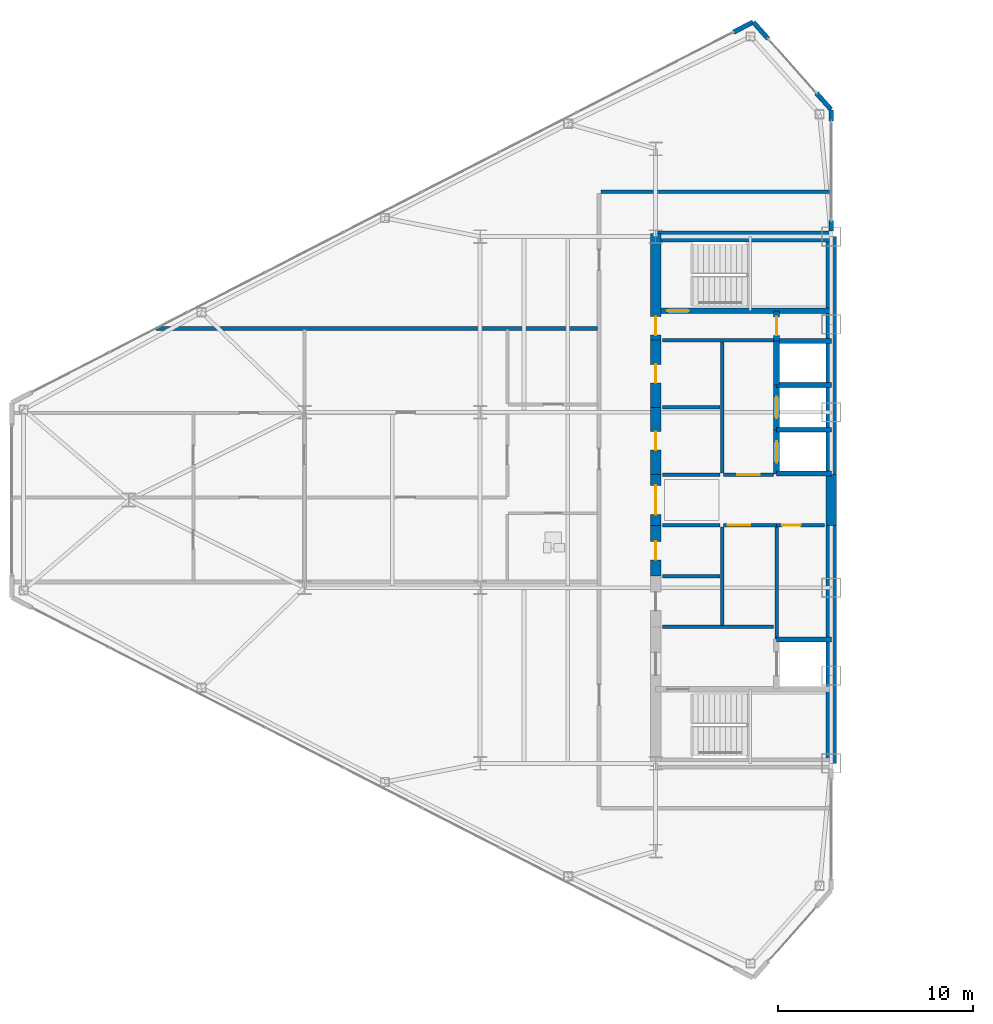
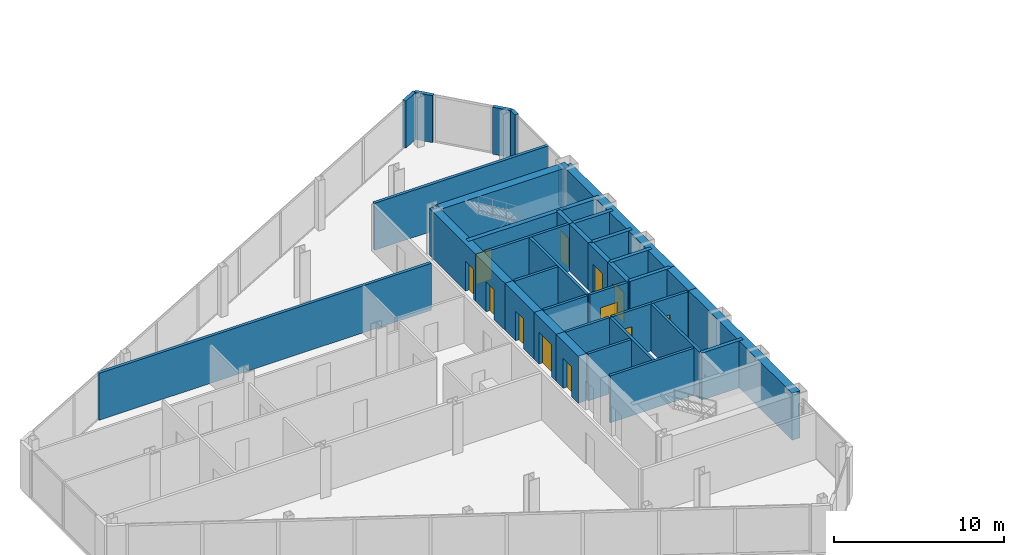
# One storey, part 16 of 22: 38 walls, 12 doors, 12 openings.
"""IFC4 building model written with IfcOpenShell, lengths in metres."""

from ifc_helpers import new_model, si_unit, direction, frame, frame_2d, origin, place, context, subcontext, project, spatial, rectangle, extrude, source, transform, mapped, material, layer, layer_set, type_object, type_shapes, element, fill, save


model = new_model("IFC4")

# Units and contexts
model_context = context("Model", 3, precision=1e-05, world=origin(), true_north=direction((0.0, 1.0)))
body_context = subcontext(model_context, "Body", "Model", "MODEL_VIEW")
ifc_project = project(units=[si_unit("LENGTHUNIT", "METRE"), si_unit("AREAUNIT", "SQUARE_METRE"), si_unit("VOLUMEUNIT", "CUBIC_METRE"), si_unit("PLANEANGLEUNIT", "RADIAN"), si_unit("MASSUNIT", "GRAM", prefix="KILO")], contexts=[model_context])

# Site, building, storey
site_placement = place(None, origin())
site = spatial("IfcSite", under=ifc_project, at=site_placement, CompositionType="ELEMENT")
building_placement = place(site_placement, origin())
building = spatial("IfcBuilding", under=site, at=building_placement, Name="Seokmaru Belvedere", CompositionType="ELEMENT")
storey_placement = place(building_placement, frame((0.0, 0.0, 151.199951171875)))
storey = spatial("IfcBuildingStorey", under=building, at=storey_placement, Name="L40", CompositionType="ELEMENT", Elevation=151.199951171875)

# Walls
ifc_material_1 = material(Name="Fire-Rated Gypsum Shaftwall")
ifc_layer_1 = layer(ifc_material_1, 0.179931640625)
ifc_layer_set_1 = layer_set([ifc_layer_1], Name="Fire-Rated Gypsum Shaftwall")
wall_type_1 = type_object("IfcWallType", Name="Core Service Fire Partition 180", PredefinedType="PARTITIONING", material=ifc_layer_set_1)
for number, where, z_axis, x_axis, name in (
    (1, (-36.14990234375, -6.5, 0.0), (0.0, 0.0, 1.0), (1.0, 0.0, 0.0), "L40 West Firefighting Lobby Partition"),
    (2, (-36.14990234375, 8.199951171875, 0.0), (0.0, 0.0, 1.0), (1.0, 0.0, 0.0), "L40 West Smokeproof Vestibule Partition"),
):
    element("IfcWall", number, at=place(storey_placement, frame(where, z_axis=z_axis, x_axis=x_axis)), inside=storey, type_object=wall_type_1, Name=name, PredefinedType="PARTITIONING", context=body_context, shape_type="SweptSolid", body=[
        extrude(rectangle(XDim=5.699951171875, YDim=0.179931640625, at=frame_2d((2.85009765625, 0.0))), origin(), (0.0, 0.0, 1.0), 3.380126953125),
    ])
wall_1_placement = place(storey_placement, frame((-33.10009765625, -6.419921875, 0.0), z_axis=(0.0, 0.0, 1.0), x_axis=(0.0, 1.0, 0.0)))
element("IfcWall", 3, at=wall_1_placement, inside=storey, type_object=wall_type_1, Name="L40 West South Core Service Back Wall", PredefinedType="PARTITIONING", context=body_context, shape_type="SweptSolid", body=[
    extrude(rectangle(XDim=5.0400390625, YDim=0.179931640625, at=frame_2d((2.52001953125, 0.0))), origin(), (0.0, 0.0, 1.0), 3.380126953125),
])
wall_2_placement = place(storey_placement, frame((-33.10009765625, 1.3798828125, 0.0), z_axis=(0.0, 0.0, 1.0), x_axis=(0.0, 1.0, 0.0)))
element("IfcWall", 4, at=wall_2_placement, inside=storey, type_object=wall_type_1, Name="L40 West North Core Service Back Wall", PredefinedType="PARTITIONING", context=body_context, shape_type="SweptSolid", body=[
    extrude(rectangle(XDim=6.740234375, YDim=0.179931640625, at=frame_2d((3.3701171875, 0.0))), origin(), (0.0, 0.0, 1.0), 3.380126953125),
])

# Wall, opening, door
wall_3_placement = place(storey_placement, frame((-30.300048828125, -1.300048828125, 0.0), z_axis=(0.0, 0.0, 1.0), x_axis=(1.0, 0.0, 0.0)))
wall_3 = element("IfcWall", 5, at=wall_3_placement, inside=storey, type_object=wall_type_1, Name="L40 West South Parcel Vault Foyer Wall", PredefinedType="PARTITIONING", context=body_context, shape_type="SweptSolid", body=[
    extrude(rectangle(XDim=2.449951171875, YDim=0.179931640625, at=frame_2d((1.22509765625, 0.0))), origin(), (0.0, 0.0, 1.0), 3.380126953125),
])
opening_1_placement = place(wall_3_placement, frame((0.27490234375, 0.0, 0.0)))
opening_1 = element("IfcOpeningElement", 6, at=opening_1_placement, cuts=wall_3, Name="Opening D04", PredefinedType="OPENING", context=body_context, shape_type="SweptSolid", body=[
    extrude(rectangle(XDim=0.949951171875, YDim=2.14990234375, at=frame_2d((0.47509765625, 1.074951171875))), frame((0.0, 0.10009765625, 0.0), z_axis=(0.0, -1.0, 0.0), x_axis=(1.0, 0.0, 0.0)), (0.0, 0.0, 1.0), 0.199951171875),
])
ifc_material_2 = material(Name="Fire-Rated Steel Leaf", Category="steel")
door_type_1 = type_object("IfcDoorType", Name="Core Service Room Fire Door 950x2150", OperationType="NOTDEFINED", PredefinedType="DOOR", material=ifc_material_2)
shared_shape_1 = source(origin(), body_context, "Body", "SweptSolid", [
    extrude(rectangle(XDim=0.949951171875, YDim=2.14990234375, at=frame_2d((0.47509765625, 1.074951171875))), frame((0.0, 0.02490234375, 0.0), z_axis=(0.0, -1.0, 0.0), x_axis=(1.0, 0.0, 0.0)), (0.0, 0.0, 1.0), 0.050048828125),
])
type_shapes(door_type_1, [shared_shape_1])
door_1_placement = place(opening_1_placement, origin())
door_1 = element("IfcDoor", 7, at=door_1_placement, inside=storey, type_object=door_type_1, Name="L40 West South Parcel Vault Door", OperationType="SINGLE_SWING_LEFT", OverallHeight=2.14990234375, OverallWidth=0.949951171875, PredefinedType="DOOR", context=body_context, shape_type="MappedRepresentation", body=[
    mapped(shared_shape_1, transform((0.0, 0.0, 0.0), scale=1.0)),
])
fill(opening_1, door_1)

wall_4_placement = place(storey_placement, frame((-33.02001953125, -1.300048828125, 0.0), z_axis=(0.0, 0.0, 1.0), x_axis=(1.0, 0.0, 0.0)))
wall_4 = element("IfcWall", 8, at=wall_4_placement, inside=storey, type_object=wall_type_1, Name="L40 West South Wine Cellar Foyer Wall", PredefinedType="PARTITIONING", context=body_context, shape_type="SweptSolid", body=[
    extrude(rectangle(XDim=2.719970703125, YDim=0.179931640625, at=frame_2d((1.35986328125, 0.0))), origin(), (0.0, 0.0, 1.0), 3.380126953125),
])
opening_2_placement = place(wall_4_placement, frame((0.2099609375, 0.0, 0.0)))
opening_2 = element("IfcOpeningElement", 9, at=opening_2_placement, cuts=wall_4, Name="Opening D02", PredefinedType="OPENING", context=body_context, shape_type="SweptSolid", body=[
    extrude(rectangle(XDim=1.14990234375, YDim=2.199951171875, at=frame_2d((0.574951171875, 1.10009765625))), frame((0.0, 0.10009765625, 0.0), z_axis=(0.0, -1.0, 0.0), x_axis=(1.0, 0.0, 0.0)), (0.0, 0.0, 1.0), 0.199951171875),
])
door_type_2 = type_object("IfcDoorType", Name="Lobby and Vestibule Fire Door 1150x2200", OperationType="NOTDEFINED", PredefinedType="DOOR", material=ifc_material_2)
shared_shape_2 = source(origin(), body_context, "Body", "SweptSolid", [
    extrude(rectangle(XDim=1.14990234375, YDim=2.199951171875, at=frame_2d((0.574951171875, 1.10009765625))), frame((0.0, 0.02490234375, 0.0), z_axis=(0.0, -1.0, 0.0), x_axis=(1.0, 0.0, 0.0)), (0.0, 0.0, 1.0), 0.050048828125),
])
type_shapes(door_type_2, [shared_shape_2])
door_2_placement = place(opening_2_placement, origin())
door_2 = element("IfcDoor", 10, at=door_2_placement, inside=storey, type_object=door_type_2, Name="L40 West South Core Foyer Door", OperationType="SINGLE_SWING_LEFT", OverallHeight=2.199951171875, OverallWidth=1.14990234375, PredefinedType="DOOR", context=body_context, shape_type="MappedRepresentation", body=[
    mapped(shared_shape_2, transform((0.0, 0.0, 0.0), scale=1.0)),
])
fill(opening_2, door_2)

# Wall
wall_5_placement = place(storey_placement, frame((-30.300048828125, -7.1201171875, 0.0), z_axis=(0.0, 0.0, 1.0), x_axis=(0.0, 1.0, 0.0)))
element("IfcWall", 11, at=wall_5_placement, inside=storey, type_object=wall_type_1, Name="L40 West Freed Shaft Vault Partition", PredefinedType="PARTITIONING", context=body_context, shape_type="SweptSolid", body=[
    extrude(rectangle(XDim=5.740234375, YDim=0.179931640625, at=frame_2d((2.8701171875, 0.0))), origin(), (0.0, 0.0, 1.0), 3.380126953125),
])

# Wall, opening, door
wall_6_placement = place(storey_placement, frame((-33.02001953125, 1.300048828125, 0.0), z_axis=(0.0, 0.0, 1.0), x_axis=(1.0, 0.0, 0.0)))
wall_6 = element("IfcWall", 12, at=wall_6_placement, inside=storey, type_object=wall_type_1, Name="L40 West North Lift Lobby Foyer Wall", PredefinedType="PARTITIONING", context=body_context, shape_type="SweptSolid", body=[
    extrude(rectangle(XDim=2.570068359375, YDim=0.179931640625, at=frame_2d((1.28515625, 0.0))), origin(), (0.0, 0.0, 1.0), 3.380126953125),
])
opening_3_placement = place(wall_6_placement, frame((0.7099609375, 0.0, 0.0)))
opening_3 = element("IfcOpeningElement", 13, at=opening_3_placement, cuts=wall_6, Name="Opening D02", PredefinedType="OPENING", context=body_context, shape_type="SweptSolid", body=[
    extrude(rectangle(XDim=1.14990234375, YDim=2.199951171875, at=frame_2d((0.574951171875, 1.10009765625))), frame((0.0, 0.10009765625, 0.0), z_axis=(0.0, -1.0, 0.0), x_axis=(1.0, 0.0, 0.0)), (0.0, 0.0, 1.0), 0.199951171875),
])
door_3_placement = place(opening_3_placement, origin())
door_3 = element("IfcDoor", 14, at=door_3_placement, inside=storey, type_object=door_type_2, Name="L40 West North Lift Lobby Door", OperationType="SINGLE_SWING_RIGHT", OverallHeight=2.199951171875, OverallWidth=1.14990234375, PredefinedType="DOOR", context=body_context, shape_type="MappedRepresentation", body=[
    mapped(shared_shape_2, transform((0.0, 0.0, 0.0), scale=1.0)),
])
fill(opening_3, door_3)

# Walls
for number, where, z_axis, x_axis, name in (
    (15, (-36.14990234375, -1.300048828125, 0.0), (0.0, 0.0, 1.0), (1.0, 0.0, 0.0), "L40 West Foyer Side Wall S"),
    (16, (-36.14990234375, 1.300048828125, 0.0), (0.0, 0.0, 1.0), (1.0, 0.0, 0.0), "L40 West Foyer Side Wall N"),
    (17, (-36.14990234375, -3.89990234375, 0.0), (0.0, 0.0, 1.0), (1.0, 0.0, 0.0), "L40 West Core Service Partition 1"),
    (18, (-36.14990234375, 4.75, 0.0), (0.0, 0.0, 1.0), (1.0, 0.0, 0.0), "L40 West Core Service Partition 2"),
):
    element("IfcWall", number, at=place(storey_placement, frame(where, z_axis=z_axis, x_axis=x_axis)), inside=storey, type_object=wall_type_1, Name=name, PredefinedType="PARTITIONING", context=body_context, shape_type="SweptSolid", body=[
        extrude(rectangle(XDim=2.949951171875, YDim=0.179931640625, at=frame_2d((1.47509765625, 0.0))), origin(), (0.0, 0.0, 1.0), 3.380126953125),
    ])
ifc_material_3 = material(Name="Concrete C50 (50 MPa)", Category="concrete")
ifc_layer_2 = layer(ifc_material_3, 0.25)
ifc_layer_set_2 = layer_set([ifc_layer_2], Name="Concrete C50 (50 MPa)")
wall_type_2 = type_object("IfcWallType", Name="Hoistway Transverse Concrete Divider Wall 250", PredefinedType="SHEAR", material=ifc_layer_set_2)
for number, where, z_axis, x_axis, name in (
    (19, (-30.300048828125, -7.14990234375, 0.0), (0.0, 0.0, 1.0), (1.0, 0.0, 0.0), "L40 West Hoistway Divider Core Wall 1"),
    (20, (-30.300048828125, 1.35009765625, 0.0), (0.0, 0.0, 1.0), (1.0, 0.0, 0.0), "L40 West Hoistway Divider Core Wall 2"),
    (21, (-30.300048828125, 3.60009765625, 0.0), (0.0, 0.0, 1.0), (1.0, 0.0, 0.0), "L40 West Hoistway Divider Core Wall 3"),
    (22, (-30.300048828125, 5.89990234375, 0.0), (0.0, 0.0, 1.0), (1.0, 0.0, 0.0), "L40 West Hoistway Divider Core Wall 4"),
    (23, (-30.300048828125, 8.14990234375, 0.0), (0.0, 0.0, 1.0), (1.0, 0.0, 0.0), "L40 West Hoistway Divider Core Wall 5"),
):
    element("IfcWall", number, at=place(storey_placement, frame(where, z_axis=z_axis, x_axis=x_axis)), inside=storey, type_object=wall_type_2, Name=name, PredefinedType="SHEAR", context=body_context, shape_type="SweptSolid", body=[
        extrude(rectangle(XDim=2.800048828125, YDim=0.25, at=frame_2d((1.39990234375, 0.0))), origin(), (0.0, 0.0, 1.0), 3.380126953125),
    ])
ifc_layer_3 = layer(ifc_material_1, 0.199951171875)
ifc_layer_set_3 = layer_set([ifc_layer_3], Name="Fire-Rated Gypsum Shaftwall")
wall_type_3 = type_object("IfcWallType", Name="Inter-Tenancy Fire Compartment Partition 200", PredefinedType="PARTITIONING", material=ifc_layer_set_3)
wall_7_placement = place(storey_placement, frame((-62.10595703125, 8.800048828125, 0.0), z_axis=(0.0, 0.0, 1.0), x_axis=(1.0, 0.0, 0.0)))
element("IfcWall", 24, at=wall_7_placement, inside=storey, type_object=wall_type_3, Name="L40 Interior Partition 015", PredefinedType="PARTITIONING", context=body_context, shape_type="SweptSolid", body=[
    extrude(rectangle(XDim=22.6259765625, YDim=0.199951171875, at=frame_2d((11.31298828125, 0.0))), origin(), (0.0, 0.0, 1.0), 3.380126953125),
])
wall_8_placement = place(storey_placement, frame((-39.31494140625, 15.800048828125, 0.0), z_axis=(0.0, 0.0, 1.0), x_axis=(1.0, 0.0, 0.0)))
element("IfcWall", 25, at=wall_8_placement, inside=storey, type_object=wall_type_3, Name="L40 Interior Partition 020", PredefinedType="PARTITIONING", context=body_context, shape_type="SweptSolid", body=[
    extrude(rectangle(XDim=11.81494140625, YDim=0.199951171875, at=frame_2d((5.907470703125, 0.0))), origin(), (0.0, 0.0, 1.0), 3.380126953125),
])

# Wall, opening, door
ifc_layer_4 = layer(ifc_material_3, 0.300048828125)
ifc_layer_set_4 = layer_set([ifc_layer_4], Name="Concrete C50 (50 MPa)")
wall_type_4 = type_object("IfcWallType", Name="Internal Core Stair and Hoistway Wall 300", PredefinedType="SHEAR", material=ifc_layer_set_4)
wall_9_placement = place(storey_placement, frame((-36.5, 9.699951171875, 0.0), z_axis=(0.0, 0.0, 1.0), x_axis=(1.0, 0.0, 0.0)))
wall_9 = element("IfcWall", 26, at=wall_9_placement, inside=storey, type_object=wall_type_4, Name="L40 West Stair ST-2 Enclosure Wall", PredefinedType="SHEAR", context=body_context, shape_type="SweptSolid", body=[
    extrude(rectangle(XDim=9.0, YDim=0.300048828125, at=frame_2d((4.5, 0.0))), origin(), (0.0, 0.0, 1.0), 3.380126953125),
])
opening_4_placement = place(wall_9_placement, frame((0.60009765625, 0.0, 0.0)))
opening_4 = element("IfcOpeningElement", 27, at=opening_4_placement, cuts=wall_9, Name="Opening D01", PredefinedType="OPENING", context=body_context, shape_type="SweptSolid", body=[
    extrude(rectangle(XDim=1.10009765625, YDim=2.199951171875, at=frame_2d((0.550048828125, 1.10009765625))), frame((0.0, 0.16015625, 0.0), z_axis=(0.0, -1.0, 0.0), x_axis=(1.0, 0.0, 0.0)), (0.0, 0.0, 1.0), 0.320068359375),
])
door_type_3 = type_object("IfcDoorType", Name="Special Escape Stair Smokeproof Fire Door 1100x2200", OperationType="NOTDEFINED", PredefinedType="DOOR", material=ifc_material_2)
shared_shape_3 = source(origin(), body_context, "Body", "SweptSolid", [
    extrude(rectangle(XDim=1.10009765625, YDim=2.199951171875, at=frame_2d((0.550048828125, 1.10009765625))), frame((0.0, 0.02490234375, 0.0), z_axis=(0.0, -1.0, 0.0), x_axis=(1.0, 0.0, 0.0)), (0.0, 0.0, 1.0), 0.050048828125),
])
type_shapes(door_type_3, [shared_shape_3])
door_4_placement = place(opening_4_placement, origin())
door_4 = element("IfcDoor", 28, at=door_4_placement, inside=storey, type_object=door_type_3, Name="L40 West Special Escape Stair ST-2 Door", OperationType="SINGLE_SWING_RIGHT", OverallHeight=2.199951171875, OverallWidth=1.10009765625, PredefinedType="DOOR", context=body_context, shape_type="MappedRepresentation", body=[
    mapped(shared_shape_3, transform((0.0, 0.0, 0.0), scale=1.0)),
])
fill(opening_4, door_4)

wall_10_placement = place(storey_placement, frame((-30.300048828125, 1.320068359375, 0.0), z_axis=(0.0, 0.0, 1.0), x_axis=(0.0, 1.0, 0.0)))
wall_10 = element("IfcWall", 29, at=wall_10_placement, inside=storey, type_object=wall_type_4, Name="L40 West North Hoistway Wall PH1", PredefinedType="SHEAR", context=body_context, shape_type="SweptSolid", body=[
    extrude(rectangle(XDim=2.280029296875, YDim=0.300048828125, at=frame_2d((1.14013671875, 0.0))), origin(), (0.0, 0.0, 1.0), 3.380126953125),
])
opening_5_placement = place(wall_10_placement, frame((0.590087890625, 0.0, 0.0)))
opening_5 = element("IfcOpeningElement", 30, at=opening_5_placement, cuts=wall_10, Name="Opening LD1", PredefinedType="OPENING", context=body_context, shape_type="SweptSolid", body=[
    extrude(rectangle(XDim=1.10009765625, YDim=2.199951171875, at=frame_2d((0.550048828125, 1.10009765625))), frame((0.0, 0.16015625, 0.0), z_axis=(0.0, -1.0, 0.0), x_axis=(1.0, 0.0, 0.0)), (0.0, 0.0, 1.0), 0.320068359375),
])
ifc_material_4 = material(Name="Stainless Steel 316", Category="steel")
door_type_4 = type_object("IfcDoorType", Name="Passenger Lift Sliding Landing Door 1100x2200", OperationType="DOUBLE_DOOR_SLIDING", PredefinedType="DOOR", material=ifc_material_4)
shared_shape_4 = source(origin(), body_context, "Body", "SweptSolid", [
    extrude(rectangle(XDim=1.10009765625, YDim=2.199951171875, at=frame_2d((0.550048828125, 1.10009765625))), frame((0.0, 0.02490234375, 0.0), z_axis=(0.0, -1.0, 0.0), x_axis=(1.0, 0.0, 0.0)), (0.0, 0.0, 1.0), 0.050048828125),
])
type_shapes(door_type_4, [shared_shape_4])
door_5_placement = place(opening_5_placement, origin())
door_5 = element("IfcDoor", 31, at=door_5_placement, inside=storey, type_object=door_type_4, Name="L40 West High-Rise Lift PH-1 Landing Door", OperationType="DOUBLE_DOOR_SLIDING", OverallHeight=2.199951171875, OverallWidth=1.10009765625, PredefinedType="DOOR", context=body_context, shape_type="MappedRepresentation", body=[
    mapped(shared_shape_4, transform((0.0, 0.0, 0.0), scale=1.0)),
])
fill(opening_5, door_5)

wall_11_placement = place(storey_placement, frame((-30.300048828125, 3.60009765625, 0.0), z_axis=(0.0, 0.0, 1.0), x_axis=(0.0, 1.0, 0.0)))
wall_11 = element("IfcWall", 32, at=wall_11_placement, inside=storey, type_object=wall_type_4, Name="L40 West North Hoistway Wall PH2", PredefinedType="SHEAR", context=body_context, shape_type="SweptSolid", body=[
    extrude(rectangle(XDim=2.2998046875, YDim=0.300048828125, at=frame_2d((1.14990234375, 0.0))), origin(), (0.0, 0.0, 1.0), 3.380126953125),
])
opening_6_placement = place(wall_11_placement, frame((0.60009765625, 0.0, 0.0)))
opening_6 = element("IfcOpeningElement", 33, at=opening_6_placement, cuts=wall_11, Name="Opening LD1", PredefinedType="OPENING", context=body_context, shape_type="SweptSolid", body=[
    extrude(rectangle(XDim=1.10009765625, YDim=2.199951171875, at=frame_2d((0.550048828125, 1.10009765625))), frame((0.0, 0.16015625, 0.0), z_axis=(0.0, -1.0, 0.0), x_axis=(1.0, 0.0, 0.0)), (0.0, 0.0, 1.0), 0.320068359375),
])
door_6_placement = place(opening_6_placement, origin())
door_6 = element("IfcDoor", 34, at=door_6_placement, inside=storey, type_object=door_type_4, Name="L40 West High-Rise Lift PH-2 Landing Door", OperationType="DOUBLE_DOOR_SLIDING", OverallHeight=2.199951171875, OverallWidth=1.10009765625, PredefinedType="DOOR", context=body_context, shape_type="MappedRepresentation", body=[
    mapped(shared_shape_4, transform((0.0, 0.0, 0.0), scale=1.0)),
])
fill(opening_6, door_6)

# Wall
wall_12_placement = place(storey_placement, frame((-30.300048828125, 5.89990234375, 0.0), z_axis=(0.0, 0.0, 1.0), x_axis=(0.0, 1.0, 0.0)))
element("IfcWall", 35, at=wall_12_placement, inside=storey, type_object=wall_type_4, Name="L40 West North Hoistway Wall OBS", PredefinedType="SHEAR", context=body_context, shape_type="SweptSolid", body=[
    extrude(rectangle(XDim=2.25, YDim=0.300048828125, at=frame_2d((1.125, 0.0))), origin(), (0.0, 0.0, 1.0), 3.380126953125),
])

# Wall, opening, door
wall_13_placement = place(storey_placement, frame((-30.300048828125, 8.14990234375, 0.0), z_axis=(0.0, 0.0, 1.0), x_axis=(0.0, 1.0, 0.0)))
wall_13 = element("IfcWall", 36, at=wall_13_placement, inside=storey, type_object=wall_type_4, Name="L40 West Electrical Riser Front Wall", PredefinedType="SHEAR", context=body_context, shape_type="SweptSolid", body=[
    extrude(rectangle(XDim=1.530029296875, YDim=0.300048828125, at=frame_2d((0.76513671875, 0.0))), origin(), (0.0, 0.0, 1.0), 3.380126953125),
])
opening_7_placement = place(wall_13_placement, frame((0.284912109375, 0.0, 0.0)))
opening_7 = element("IfcOpeningElement", 37, at=opening_7_placement, cuts=wall_13, Name="Opening D04", PredefinedType="OPENING", context=body_context, shape_type="SweptSolid", body=[
    extrude(rectangle(XDim=0.949951171875, YDim=2.14990234375, at=frame_2d((0.47509765625, 1.074951171875))), frame((0.0, 0.16015625, 0.0), z_axis=(0.0, -1.0, 0.0), x_axis=(1.0, 0.0, 0.0)), (0.0, 0.0, 1.0), 0.320068359375),
])
door_7_placement = place(opening_7_placement, origin())
door_7 = element("IfcDoor", 38, at=door_7_placement, inside=storey, type_object=door_type_1, Name="L40 West Electrical Riser Access Door", OperationType="SINGLE_SWING_LEFT", OverallHeight=2.14990234375, OverallWidth=0.949951171875, PredefinedType="DOOR", context=body_context, shape_type="MappedRepresentation", body=[
    mapped(shared_shape_1, transform((0.0, 0.0, 0.0), scale=1.0)),
])
fill(opening_7, door_7)

# Walls
ifc_layer_5 = layer(ifc_material_3, 0.550048828125)
ifc_layer_set_5 = layer_set([ifc_layer_5], Name="Concrete C50 (50 MPa)")
wall_type_5 = type_object("IfcWallType", Name="Mid-High Reinforced Concrete Core Wall 550", PredefinedType="SHEAR", material=ifc_layer_set_5)
for number, where, z_axis, x_axis, name in (
    (39, (-27.5, -13.5, 0.0), (0.0, 0.0, 1.0), (0.0, 1.0, 0.0), "L40 West Portal Spine Core Wall South"),
    (40, (-27.5, 1.300048828125, 0.0), (0.0, 0.0, 1.0), (0.0, 1.0, 0.0), "L40 West Portal Spine Core Wall North"),
):
    element("IfcWall", number, at=place(storey_placement, frame(where, z_axis=z_axis, x_axis=x_axis)), inside=storey, type_object=wall_type_5, Name=name, PredefinedType="SHEAR", context=body_context, shape_type="SweptSolid", body=[
        extrude(rectangle(XDim=12.199951171875, YDim=0.550048828125, at=frame_2d((6.10009765625, 0.0))), origin(), (0.0, 0.0, 1.0), 3.380126953125),
    ])
wall_14_placement = place(storey_placement, frame((-27.5, -1.300048828125, 0.0), z_axis=(0.0, 0.0, 1.0), x_axis=(0.0, 1.0, 0.0)))
element("IfcWall", 41, at=wall_14_placement, inside=storey, type_object=wall_type_5, Name="L40 West Portal Spine Core Wall Center", PredefinedType="SHEAR", context=body_context, shape_type="SweptSolid", body=[
    extrude(rectangle(XDim=2.60009765625, YDim=0.550048828125, at=frame_2d((1.300048828125, 0.0))), origin(), (0.0, 0.0, 1.0), 3.380126953125),
])
wall_15_placement = place(storey_placement, frame((-36.5, 13.5, 0.0), z_axis=(0.0, 0.0, 1.0), x_axis=(1.0, 0.0, 0.0)))
element("IfcWall", 42, at=wall_15_placement, inside=storey, type_object=wall_type_5, Name="L40 West North Core Wall", PredefinedType="SHEAR", context=body_context, shape_type="SweptSolid", body=[
    extrude(rectangle(XDim=9.0, YDim=0.550048828125, at=frame_2d((4.5, 0.0))), origin(), (0.0, 0.0, 1.0), 3.380126953125),
])

# Wall, opening, door
wall_16_placement = place(storey_placement, frame((-36.5, -1.300048828125, 0.0), z_axis=(0.0, 0.0, 1.0), x_axis=(0.0, 1.0, 0.0)))
wall_16 = element("IfcWall", 43, at=wall_16_placement, inside=storey, type_object=wall_type_5, Name="L40 West West Core Wall FOY", PredefinedType="SHEAR", context=body_context, shape_type="SweptSolid", body=[
    extrude(rectangle(XDim=2.60009765625, YDim=0.550048828125, at=frame_2d((1.300048828125, 0.0))), origin(), (0.0, 0.0, 1.0), 3.380126953125),
])
opening_8_placement = place(wall_16_placement, frame((0.550048828125, 0.0, 0.0)))
opening_8 = element("IfcOpeningElement", 44, at=opening_8_placement, cuts=wall_16, Name="Opening D08", PredefinedType="OPENING", context=body_context, shape_type="SweptSolid", body=[
    extrude(rectangle(XDim=1.5, YDim=2.300048828125, at=frame_2d((0.75, 1.14990234375))), frame((0.0, 0.28515625, 0.0), z_axis=(0.0, -1.0, 0.0), x_axis=(1.0, 0.0, 0.0)), (0.0, 0.0, 1.0), 0.570068359375),
])
door_type_5 = type_object("IfcDoorType", Name="Cross-Corridor Compartment Double Fire Door 1500x2300", OperationType="DOUBLE_SWING_LEFT", PredefinedType="DOOR", material=ifc_material_2)
shared_shape_5 = source(origin(), body_context, "Body", "SweptSolid", [
    extrude(rectangle(XDim=1.5, YDim=2.300048828125, at=frame_2d((0.75, 1.14990234375))), frame((0.0, 0.02490234375, 0.0), z_axis=(0.0, -1.0, 0.0), x_axis=(1.0, 0.0, 0.0)), (0.0, 0.0, 1.0), 0.050048828125),
])
type_shapes(door_type_5, [shared_shape_5])
door_8_placement = place(opening_8_placement, origin())
door_8 = element("IfcDoor", 45, at=door_8_placement, inside=storey, type_object=door_type_5, Name="L40 West Core Foyer Compartment Door", OperationType="DOUBLE_SWING_LEFT", OverallHeight=2.300048828125, OverallWidth=1.5, PredefinedType="DOOR", context=body_context, shape_type="MappedRepresentation", body=[
    mapped(shared_shape_5, transform((0.0, 0.0, 0.0), scale=1.0)),
])
fill(opening_8, door_8)

wall_17_placement = place(storey_placement, frame((-36.5, 8.199951171875, 0.0), z_axis=(0.0, 0.0, 1.0), x_axis=(0.0, 1.0, 0.0)))
wall_17 = element("IfcWall", 46, at=wall_17_placement, inside=storey, type_object=wall_type_5, Name="L40 West West Core Wall VST", PredefinedType="SHEAR", context=body_context, shape_type="SweptSolid", body=[
    extrude(rectangle(XDim=5.449951171875, YDim=0.550048828125, at=frame_2d((2.72509765625, 0.0))), origin(), (0.0, 0.0, 1.0), 3.380126953125),
])
opening_9_placement = place(wall_17_placement, frame((0.2451171875, 0.0, 0.0)))
opening_9 = element("IfcOpeningElement", 47, at=opening_9_placement, cuts=wall_17, Name="Opening D04", PredefinedType="OPENING", context=body_context, shape_type="SweptSolid", body=[
    extrude(rectangle(XDim=0.949951171875, YDim=2.14990234375, at=frame_2d((0.47509765625, 1.074951171875))), frame((0.0, 0.28515625, 0.0), z_axis=(0.0, -1.0, 0.0), x_axis=(1.0, 0.0, 0.0)), (0.0, 0.0, 1.0), 0.570068359375),
])
door_9_placement = place(opening_9_placement, frame((0.949951171875, 0.0, 0.0), z_axis=(0.0, 0.0, 1.0), x_axis=(-1.0, 0.0, 0.0)))
door_9 = element("IfcDoor", 48, at=door_9_placement, inside=storey, type_object=door_type_1, Name="L40 West Smokeproof Vestibule Door", OperationType="SINGLE_SWING_RIGHT", OverallHeight=2.14990234375, OverallWidth=0.949951171875, PredefinedType="DOOR", context=body_context, shape_type="MappedRepresentation", body=[
    mapped(shared_shape_1, transform((0.0, 0.0, 0.0), scale=1.0)),
])
fill(opening_9, door_9)

wall_18_placement = place(storey_placement, frame((-36.5, -3.89990234375, 0.0), z_axis=(0.0, 0.0, 1.0), x_axis=(0.0, 1.0, 0.0)))
wall_18 = element("IfcWall", 49, at=wall_18_placement, inside=storey, type_object=wall_type_5, Name="L40 West West Core Wall CS2", PredefinedType="SHEAR", context=body_context, shape_type="SweptSolid", body=[
    extrude(rectangle(XDim=2.599853515625, YDim=0.550048828125, at=frame_2d((1.2998046875, 0.0))), origin(), (0.0, 0.0, 1.0), 3.380126953125),
])
opening_10_placement = place(wall_18_placement, frame((0.824951171875, 0.0, 0.0)))
opening_10 = element("IfcOpeningElement", 50, at=opening_10_placement, cuts=wall_18, Name="Opening D04", PredefinedType="OPENING", context=body_context, shape_type="SweptSolid", body=[
    extrude(rectangle(XDim=0.949951171875, YDim=2.14990234375, at=frame_2d((0.47509765625, 1.074951171875))), frame((0.0, 0.28515625, 0.0), z_axis=(0.0, -1.0, 0.0), x_axis=(1.0, 0.0, 0.0)), (0.0, 0.0, 1.0), 0.570068359375),
])
door_10_placement = place(opening_10_placement, origin())
door_10 = element("IfcDoor", 51, at=door_10_placement, inside=storey, type_object=door_type_1, Name="L40 West Core Service Room Door 2", OperationType="SINGLE_SWING_RIGHT", OverallHeight=2.14990234375, OverallWidth=0.949951171875, PredefinedType="DOOR", context=body_context, shape_type="MappedRepresentation", body=[
    mapped(shared_shape_1, transform((0.0, 0.0, 0.0), scale=1.0)),
])
fill(opening_10, door_10)

wall_19_placement = place(storey_placement, frame((-36.5, 1.300048828125, 0.0), z_axis=(0.0, 0.0, 1.0), x_axis=(0.0, 1.0, 0.0)))
wall_19 = element("IfcWall", 52, at=wall_19_placement, inside=storey, type_object=wall_type_5, Name="L40 West West Core Wall CS3", PredefinedType="SHEAR", context=body_context, shape_type="SweptSolid", body=[
    extrude(rectangle(XDim=3.449951171875, YDim=0.550048828125, at=frame_2d((1.72509765625, 0.0))), origin(), (0.0, 0.0, 1.0), 3.380126953125),
])
opening_11_placement = place(wall_19_placement, frame((1.25, 0.0, 0.0)))
opening_11 = element("IfcOpeningElement", 53, at=opening_11_placement, cuts=wall_19, Name="Opening D04", PredefinedType="OPENING", context=body_context, shape_type="SweptSolid", body=[
    extrude(rectangle(XDim=0.949951171875, YDim=2.14990234375, at=frame_2d((0.47509765625, 1.074951171875))), frame((0.0, 0.28515625, 0.0), z_axis=(0.0, -1.0, 0.0), x_axis=(1.0, 0.0, 0.0)), (0.0, 0.0, 1.0), 0.570068359375),
])
door_11_placement = place(opening_11_placement, origin())
door_11 = element("IfcDoor", 54, at=door_11_placement, inside=storey, type_object=door_type_1, Name="L40 West Core Service Room Door 3", OperationType="SINGLE_SWING_LEFT", OverallHeight=2.14990234375, OverallWidth=0.949951171875, PredefinedType="DOOR", context=body_context, shape_type="MappedRepresentation", body=[
    mapped(shared_shape_1, transform((0.0, 0.0, 0.0), scale=1.0)),
])
fill(opening_11, door_11)

wall_20_placement = place(storey_placement, frame((-36.5, 4.75, 0.0), z_axis=(0.0, 0.0, 1.0), x_axis=(0.0, 1.0, 0.0)))
wall_20 = element("IfcWall", 55, at=wall_20_placement, inside=storey, type_object=wall_type_5, Name="L40 West West Core Wall CS4", PredefinedType="SHEAR", context=body_context, shape_type="SweptSolid", body=[
    extrude(rectangle(XDim=3.449951171875, YDim=0.550048828125, at=frame_2d((1.72509765625, 0.0))), origin(), (0.0, 0.0, 1.0), 3.380126953125),
])
opening_12_placement = place(wall_20_placement, frame((1.25, 0.0, 0.0)))
opening_12 = element("IfcOpeningElement", 56, at=opening_12_placement, cuts=wall_20, Name="Opening D04", PredefinedType="OPENING", context=body_context, shape_type="SweptSolid", body=[
    extrude(rectangle(XDim=0.949951171875, YDim=2.14990234375, at=frame_2d((0.47509765625, 1.074951171875))), frame((0.0, 0.28515625, 0.0), z_axis=(0.0, -1.0, 0.0), x_axis=(1.0, 0.0, 0.0)), (0.0, 0.0, 1.0), 0.570068359375),
])
door_12_placement = place(opening_12_placement, origin())
door_12 = element("IfcDoor", 57, at=door_12_placement, inside=storey, type_object=door_type_1, Name="L40 West Core Service Room Door 4", OperationType="SINGLE_SWING_RIGHT", OverallHeight=2.14990234375, OverallWidth=0.949951171875, PredefinedType="DOOR", context=body_context, shape_type="MappedRepresentation", body=[
    mapped(shared_shape_1, transform((0.0, 0.0, 0.0), scale=1.0)),
])
fill(opening_12, door_12)

# Walls
ifc_material_5 = material(Name="Anodised Bronze Aluminium", Category="aluminium")
ifc_layer_6 = layer(ifc_material_5, 0.239990234375)
ifc_layer_set_6 = layer_set([ifc_layer_6], Name="Anodised Bronze Aluminium")
wall_type_6 = type_object("IfcWallType", Name="Tower Corner Spandrel Closure Wall 240", PredefinedType="SOLIDWALL", material=ifc_layer_set_6)
wall_21_placement = place(storey_placement, frame((-27.5, 13.780029296875, 0.0), z_axis=(0.0, 0.0, 1.0), x_axis=(0.0, 1.0, 0.0)))
element("IfcWall", 58, at=wall_21_placement, inside=storey, type_object=wall_type_6, Name="L40 W Spine Closure Pier 2A", PredefinedType="SOLIDWALL", context=body_context, shape_type="SweptSolid", body=[
    extrude(rectangle(XDim=0.550048828125, YDim=0.239990234375, at=frame_2d((0.27490234375, 0.0))), origin(), (0.0, 0.0, 1.0), 2.880126953125),
])
wall_22_placement = place(storey_placement, frame((-27.5, 19.429931640625, 0.0), z_axis=(0.0, 0.0, 1.0), x_axis=(0.0, 1.0, 0.0)))
element("IfcWall", 59, at=wall_22_placement, inside=storey, type_object=wall_type_6, Name="L40 W Spine Closure Pier 2B", PredefinedType="SOLIDWALL", context=body_context, shape_type="SweptSolid", body=[
    extrude(rectangle(XDim=0.550048828125, YDim=0.239990234375, at=frame_2d((0.27490234375, 0.0))), origin(), (0.0, 0.0, 1.0), 3.380126953125),
])
for number, where, z_axis, x_axis, name in (
    (60, (-27.506591796875, 20.007568359375, 0.0), (0.0, 0.0, 1.0), (-0.664337252513, 0.747432950119, 0.0), "L40 W Corner Closure Pier 2A"),
    (61, (-30.736083984375, 23.640380859375, 0.0), (0.0, 0.0, 1.0), (-0.664337252513, 0.747432950119, 0.0), "L40 W Corner Closure Pier 2B"),
):
    element("IfcWall", number, at=place(storey_placement, frame(where, z_axis=z_axis, x_axis=x_axis)), inside=storey, type_object=wall_type_6, Name=name, PredefinedType="SOLIDWALL", context=body_context, shape_type="SweptSolid", body=[
        extrude(rectangle(XDim=1.139892578125, YDim=0.239990234375, at=frame_2d((0.56982421875, 0.0))), origin(), (0.0, 0.0, 1.0), 3.380126953125),
    ])
wall_23_placement = place(storey_placement, frame((-31.5087890625, 24.495361328125, 0.0), z_axis=(0.0, 0.0, 1.0), x_axis=(-0.889797395748, -0.456355776255, 0.0)))
element("IfcWall", 62, at=wall_23_placement, inside=storey, type_object=wall_type_6, Name="L40 W Corner Closure Pier 3A", PredefinedType="SOLIDWALL", context=body_context, shape_type="SweptSolid", body=[
    extrude(rectangle(XDim=1.14013671875, YDim=0.239990234375, at=frame_2d((0.570068359375, 0.0))), origin(), (0.0, 0.0, 1.0), 3.380126953125),
])

save(model, "model.ifc")
